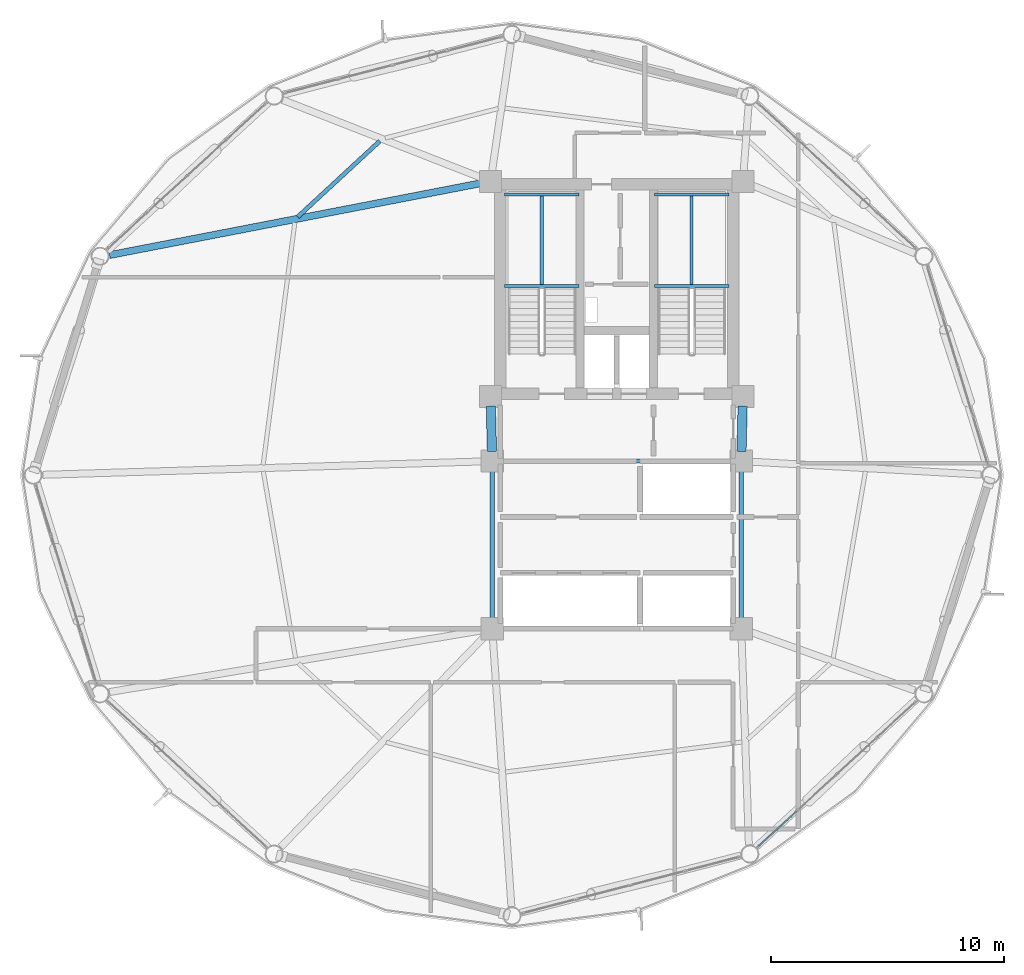
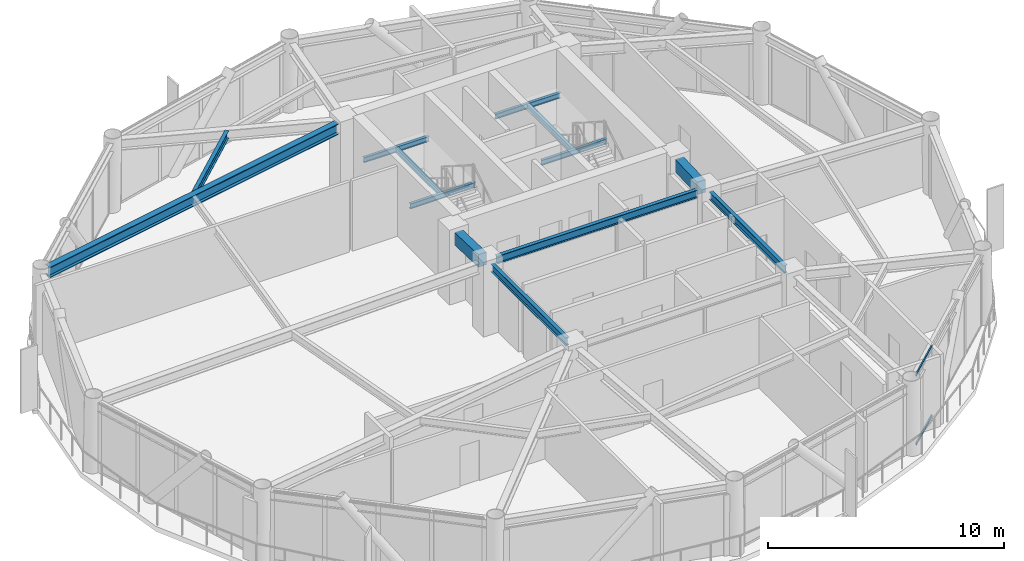
# One storey, part 12 of 24: 13 beams, 2 members, 1 element without a shape of its own.
"""IFC4 building model written with IfcOpenShell, lengths in metres."""

import ifcopenshell
import ifcopenshell.guid

model = None  # the IFC model being written
_history = None  # IfcOwnerHistory: only IFC2X3 demands one
_inside = {}  # id of a spatial element -> (the spatial element, [elements in it])
_under = {}  # id of a project, library or spatial element -> (it, [spatial elements below it])
_declared = {}  # id of a project -> (the project, [libraries it declares])
_typed = {}  # id of a type object -> (the type object, [elements of that type])
_made_of = {}  # id of a material, layer set ... -> (it, [elements and type objects made of it])


def new_model(schema):
    """Start an empty IFC model of exactly this schema.

    Asked for "IFC4X3", IfcOpenShell would pick the latest addendum, in which some entities
    have other attributes; the version numbers below select the first issue.
    IFC2X3 requires an IfcOwnerHistory on every rooted entity: one is made here for all.
    """
    global model, _history
    if schema == "IFC4X3":
        model = ifcopenshell.file(schema_version=(4, 3, 0, 0))
    else:
        model = ifcopenshell.file(schema=schema)
    _inside.clear()
    _under.clear()
    _declared.clear()
    _typed.clear()
    _made_of.clear()
    _history = None
    if model.schema == "IFC2X3":
        org = make("IfcOrganization", Name="unknown")
        user = make(
            "IfcPersonAndOrganization",
            ThePerson=make("IfcPerson", FamilyName="unknown"),
            TheOrganization=org,
        )
        app = make(
            "IfcApplication",
            ApplicationDeveloper=org,
            Version="unknown",
            ApplicationFullName="unknown",
            ApplicationIdentifier="unknown",
        )
        _history = make(
            "IfcOwnerHistory",
            OwningUser=user,
            OwningApplication=app,
            ChangeAction="ADDED",
            CreationDate=0,
        )
    return model


def make(cls, **values):
    """One entity of the class cls with the attributes given. An attribute that is None is left unset."""
    return model.create_entity(
        cls, **{name: value for name, value in values.items() if value is not None}
    )


def rooted(cls, **values):
    """An entity with a GlobalId (a new one), such as an element, a storey or a relation."""
    return make(cls, GlobalId=ifcopenshell.guid.new(), OwnerHistory=_history, **values)


def si_unit(unit_type, name, prefix=None):
    """IfcSIUnit, for example si_unit("LENGTHUNIT", "METRE", prefix="MILLI")."""
    return make("IfcSIUnit", UnitType=unit_type, Prefix=prefix, Name=name)


def assignment(units):
    """IfcUnitAssignment: the units of a project."""
    return None if units is None else make("IfcUnitAssignment", Units=units)


def point(xyz):
    """IfcCartesianPoint."""
    return None if xyz is None else make("IfcCartesianPoint", Coordinates=xyz)


def direction(xyz):
    """IfcDirection."""
    return None if xyz is None else make("IfcDirection", DirectionRatios=xyz)


def frame(location, z_axis=None, x_axis=None):
    """IfcAxis2Placement3D, a coordinate frame: its origin and axes. An axis left out is left unset."""
    return make(
        "IfcAxis2Placement3D",
        Location=point(location),
        Axis=direction(z_axis),
        RefDirection=direction(x_axis),
    )


def frame_2d(location, x_axis=None):
    """IfcAxis2Placement2D, a coordinate frame in the plane: its origin and x axis."""
    return make(
        "IfcAxis2Placement2D", Location=point(location), RefDirection=direction(x_axis)
    )


def origin():
    """The frame at (0, 0, 0) with its axes left unset."""
    return frame((0.0, 0.0, 0.0))


def origin_2d():
    """The frame at (0, 0) in the plane with its x axis left unset."""
    return frame_2d((0.0, 0.0))


def place(relative_to, where):
    """IfcLocalPlacement: puts the frame where relative to a parent placement (None: the world)."""
    return make(
        "IfcLocalPlacement", PlacementRelTo=relative_to, RelativePlacement=where
    )


def context(
    kind, dimensions, precision=None, world=None, true_north=None, identifier=None
):
    """IfcGeometricRepresentationContext, for example the 3D "Model" context."""
    return make(
        "IfcGeometricRepresentationContext",
        ContextIdentifier=identifier,
        ContextType=kind,
        CoordinateSpaceDimension=dimensions,
        Precision=precision,
        WorldCoordinateSystem=world,
        TrueNorth=true_north,
    )


def subcontext(parent, identifier, kind, view, scale=None):
    """IfcGeometricRepresentationSubContext, for example "Body" below "Model"."""
    return make(
        "IfcGeometricRepresentationSubContext",
        ContextIdentifier=identifier,
        ContextType=kind,
        ParentContext=parent,
        TargetScale=scale,
        TargetView=view,
    )


def project(units=None, contexts=None):
    """IfcProject with its units and contexts."""
    return rooted(
        "IfcProject",
        Name="project",
        RepresentationContexts=contexts,
        UnitsInContext=assignment(units),
    )


def spatial(cls, under=None, at=None, **own):
    """A site, building, storey or space (cls), placed at a placement, below another one or the project."""
    s = rooted(cls, ObjectPlacement=at, **own)
    if under is not None:
        _under.setdefault(under.id(), (under, []))[1].append(s)
    return s


def profile(cls, at=None, kind="AREA", **sizes):
    """A parametric profile (cls). Its sizes go by their IFC names, for example OverallWidth=200.0."""
    return make(cls, ProfileType=kind, Position=at, **sizes)


def rectangle(**sizes):
    """IfcRectangleProfileDef."""
    return profile("IfcRectangleProfileDef", **sizes)


def hollow_rectangle(**sizes):
    """IfcRectangleHollowProfileDef."""
    return profile("IfcRectangleHollowProfileDef", **sizes)


def i_section(**sizes):
    """IfcIShapeProfileDef."""
    return profile("IfcIShapeProfileDef", **sizes)


def extrude(swept, where, along, depth):
    """IfcExtrudedAreaSolid: the profile swept, set in the frame where, extruded along a direction by depth."""
    return make(
        "IfcExtrudedAreaSolid",
        SweptArea=swept,
        Position=where,
        ExtrudedDirection=direction(along),
        Depth=depth,
    )


def shape(context_of_items, identifier, shape_type, items):
    """IfcShapeRepresentation: the items that make up one representation, for example the "Body"."""
    return make(
        "IfcShapeRepresentation",
        ContextOfItems=context_of_items,
        RepresentationIdentifier=identifier,
        RepresentationType=shape_type,
        Items=items,
    )


def material(Name=None, Category=None):
    """IfcMaterial."""
    return make("IfcMaterial", Name=Name, Category=Category)


def layer(
    of_material, thickness, ventilated=None, Name=None, Category=None, Priority=None
):
    """IfcMaterialLayer: one layer of a wall or slab, of a material (None: an air gap)."""
    return make(
        "IfcMaterialLayer",
        Material=of_material,
        LayerThickness=thickness,
        IsVentilated=ventilated,
        Name=Name,
        Category=Category,
        Priority=Priority,
    )


def layer_set(layers, Name=None):
    """IfcMaterialLayerSet."""
    return make("IfcMaterialLayerSet", MaterialLayers=layers, LayerSetName=Name)


def material_profile(
    of_material, cross_section, Name=None, Category=None, Priority=None
):
    """IfcMaterialProfile: a cross section and its material."""
    return make(
        "IfcMaterialProfile",
        Name=Name,
        Material=of_material,
        Profile=cross_section,
        Priority=Priority,
        Category=Category,
    )


def profile_set(profiles, Name=None, composite=None):
    """IfcMaterialProfileSet."""
    return make(
        "IfcMaterialProfileSet",
        Name=Name,
        MaterialProfiles=profiles,
        CompositeProfile=composite,
    )


def made_of(thing, what):
    """Note that an element or type object is made of a material, layer set ...; save() writes the relation."""
    if what is not None:
        _made_of.setdefault(what.id(), (what, []))[1].append(thing)
    return thing


def type_object(cls, material=None, **own):
    """A type object (cls), such as IfcWallType, which elements share."""
    return made_of(rooted(cls, **own), material)


def element(
    cls,
    number,
    at=None,
    inside=None,
    cuts=None,
    type_object=None,
    material=None,
    context=None,
    identifier="Body",
    shape_type=None,
    held_by="IfcProductDefinitionShape",
    body=None,
    shapes=None,
    **own,
):
    """One element of the class cls, such as IfcWall. Its Tag is "e" and its number.

    at: its placement. inside: the storey or other place that contains it. cuts: it is an
    opening in that element (IfcRelVoidsElement). A single representation is given by context,
    identifier, shape_type and body (its items); several are given by shapes. held_by: the class
    of the entity that holds the representations. save() writes the other relations.
    """
    e = rooted(cls, Tag="e%d" % number, ObjectPlacement=at, **own)
    if body is not None:
        shapes = [shape(context, identifier, shape_type, body)]
    if shapes is not None:
        e.Representation = make(held_by, Representations=shapes)
    if inside is not None:
        _inside.setdefault(inside.id(), (inside, []))[1].append(e)
    if cuts is not None:
        rooted(
            "IfcRelVoidsElement", RelatingBuildingElement=cuts, RelatedOpeningElement=e
        )
    if type_object is not None:
        _typed.setdefault(type_object.id(), (type_object, []))[1].append(e)
    return made_of(e, material)


def aggregate(whole, parts):
    """IfcRelAggregates: a whole, such as a stair, and the parts it consists of."""
    return rooted("IfcRelAggregates", RelatingObject=whole, RelatedObjects=parts)


def save(model, path):
    """Write the relations noted so far, then the file.

    IfcRelAggregates (storeys below a building ...), IfcRelContainedInSpatialStructure (elements
    in a storey), IfcRelDefinesByType, IfcRelAssociatesMaterial and IfcRelDeclares: one each for
    every whole, place, type object, material and project.
    """
    for whole, parts in _under.values():
        aggregate(whole, parts)
    for where, things in _inside.values():
        rooted(
            "IfcRelContainedInSpatialStructure",
            RelatedElements=things,
            RelatingStructure=where,
        )
    for kind, things in _typed.values():
        rooted("IfcRelDefinesByType", RelatedObjects=things, RelatingType=kind)
    for what, things in _made_of.values():
        rooted("IfcRelAssociatesMaterial", RelatedObjects=things, RelatingMaterial=what)
    for by, libraries in _declared.values():
        rooted("IfcRelDeclares", RelatingContext=by, RelatedDefinitions=libraries)
    model.write(path)


model = new_model("IFC4")

# Units and contexts
model_context = context("Model", 3, precision=1e-05, world=origin(), true_north=direction((0.0, 1.0)))
body_context = subcontext(model_context, "Body", "Model", "MODEL_VIEW")
ifc_project = project(units=[si_unit("LENGTHUNIT", "METRE"), si_unit("AREAUNIT", "SQUARE_METRE"), si_unit("VOLUMEUNIT", "CUBIC_METRE"), si_unit("PLANEANGLEUNIT", "RADIAN"), si_unit("MASSUNIT", "GRAM", prefix="KILO")], contexts=[model_context])

# Site, building, storey
site_placement = place(None, origin())
site = spatial("IfcSite", under=ifc_project, at=site_placement, CompositionType="ELEMENT")
building_placement = place(site_placement, origin())
building = spatial("IfcBuilding", under=site, at=building_placement, Name="Varnakorn Sky Granary", CompositionType="ELEMENT")
storey_placement = place(building_placement, frame((0.0, 0.0, 161.699951171875)))
storey = spatial("IfcBuildingStorey", under=building, at=storey_placement, Name="L40", CompositionType="ELEMENT", Elevation=161.699951171875)

# Beams
ifc_material_1 = material(Name="Concrete C50/60", Category="concrete")
ifc_material_profile_1 = material_profile(ifc_material_1, rectangle(XDim=0.39990234375, YDim=0.64990234375, at=origin_2d()), Name="RC 400x650")
ifc_profile_set_1 = profile_set([ifc_material_profile_1], Name="Concrete C50/60")
beam_type_1 = type_object("IfcBeamType", Name="BM-LIN-650", PredefinedType="LINTEL", material=ifc_profile_set_1)
for number, where, z_axis, x_axis, name in (
    (1, (-2.409423828125, 2.960205078125, 3.31494140625), (0.025158763514, -0.999683468213, 0.0), (0.999683468213, 0.025158763514, 0.0), "Core Spine Framing Beam 1 L40"),
    (2, (8.409423828125, 2.960205078125, 3.31494140625), (-0.025158763514, -0.999683468213, 0.0), (0.999683468213, -0.025158763514, 0.0), "Core Spine Framing Beam 2 L40"),
):
    element("IfcBeam", number, at=place(storey_placement, frame(where, z_axis=z_axis, x_axis=x_axis)), inside=storey, type_object=beam_type_1, Name=name, PredefinedType="LINTEL", context=body_context, shape_type="SweptSolid", body=[
        extrude(rectangle(XDim=0.39990234375, YDim=0.64990234375, at=origin_2d()), origin(), (0.0, 0.0, 1.0), 1.94091796875),
    ])
ifc_material_2 = material(Name="Steel S355JR", Category="steel")
ifc_material_profile_2 = material_profile(ifc_material_2, i_section(OverallWidth=0.135009765625, OverallDepth=0.27001953125, WebThickness=0.006591796875, FlangeThickness=0.01025390625, at=origin_2d()), Name="IPE 270")
ifc_profile_set_2 = profile_set([ifc_material_profile_2], Name="Steel S355JR")
beam_type_2 = type_object("IfcBeamType", Name="BM-LND-270", PredefinedType="BEAM", material=ifc_profile_set_2)
for number, where, z_axis, x_axis, name in (
    (3, (-1.820068359375, 8.1201171875, 1.614990234375), (1.0, 0.0, 0.0), (0.0, 1.0, 0.0), "Stair ST-1 Landing Trimmer Beam A L40-1"),
    (4, (-1.820068359375, 12.06005859375, 1.614990234375), (1.0, 0.0, 0.0), (0.0, 1.0, 0.0), "Stair ST-1 Landing Trimmer Beam B L40-1"),
):
    element("IfcBeam", number, at=place(storey_placement, frame(where, z_axis=z_axis, x_axis=x_axis)), inside=storey, type_object=beam_type_2, Name=name, PredefinedType="BEAM", context=body_context, shape_type="SweptSolid", body=[
        extrude(i_section(OverallWidth=0.135009765625, OverallDepth=0.27001953125, WebThickness=0.006591796875, FlangeThickness=0.01025390625, at=origin_2d()), origin(), (0.0, 0.0, 1.0), 3.199951171875),
    ])
beam_1_placement = place(storey_placement, frame((-0.219970703125, 8.1201171875, 1.614990234375), z_axis=(0.0, 1.0, 0.0), x_axis=(-1.0, 0.0, 0.0)))
element("IfcBeam", 5, at=beam_1_placement, inside=storey, type_object=beam_type_2, Name="Stair ST-1 Landing Cross Beam C L40-1", PredefinedType="BEAM", context=body_context, shape_type="SweptSolid", body=[
    extrude(i_section(OverallWidth=0.135009765625, OverallDepth=0.27001953125, WebThickness=0.006591796875, FlangeThickness=0.01025390625, at=origin_2d()), origin(), (0.0, 0.0, 1.0), 3.93994140625),
])
for number, where, z_axis, x_axis, name in (
    (6, (4.6201171875, 8.1201171875, 1.614990234375), (1.0, 0.0, 0.0), (0.0, 1.0, 0.0), "Stair ST-2 Landing Trimmer Beam A L40-1"),
    (7, (4.6201171875, 12.06005859375, 1.614990234375), (1.0, 0.0, 0.0), (0.0, 1.0, 0.0), "Stair ST-2 Landing Trimmer Beam B L40-1"),
):
    element("IfcBeam", number, at=place(storey_placement, frame(where, z_axis=z_axis, x_axis=x_axis)), inside=storey, type_object=beam_type_2, Name=name, PredefinedType="BEAM", context=body_context, shape_type="SweptSolid", body=[
        extrude(i_section(OverallWidth=0.135009765625, OverallDepth=0.27001953125, WebThickness=0.006591796875, FlangeThickness=0.01025390625, at=origin_2d()), origin(), (0.0, 0.0, 1.0), 3.199951171875),
    ])
beam_2_placement = place(storey_placement, frame((6.219970703125, 8.1201171875, 1.614990234375), z_axis=(0.0, 1.0, 0.0), x_axis=(-1.0, 0.0, 0.0)))
element("IfcBeam", 8, at=beam_2_placement, inside=storey, type_object=beam_type_2, Name="Stair ST-2 Landing Cross Beam C L40-1", PredefinedType="BEAM", context=body_context, shape_type="SweptSolid", body=[
    extrude(i_section(OverallWidth=0.135009765625, OverallDepth=0.27001953125, WebThickness=0.006591796875, FlangeThickness=0.01025390625, at=origin_2d()), origin(), (0.0, 0.0, 1.0), 3.93994140625),
])
ifc_material_profile_3 = material_profile(ifc_material_2, i_section(OverallWidth=0.300048828125, OverallDepth=0.550048828125, WebThickness=0.014892578125, FlangeThickness=0.029052734375, at=origin_2d()), Name="HE 550 B")
ifc_profile_set_3 = profile_set([ifc_material_profile_3], Name="Steel S355JR")
beam_type_3 = type_object("IfcBeamType", Name="BM-RAD-Z3", PredefinedType="BEAM", material=ifc_profile_set_3)
beam_3_placement = place(storey_placement, frame((-2.832275390625, 12.540283203125, 3.364990234375), z_axis=(-0.981778314056, -0.190029845157, 0.0), x_axis=(0.190029845157, -0.981778314056, 0.0)))
element("IfcBeam", 9, at=beam_3_placement, inside=storey, type_object=beam_type_3, Name="Radial Floor Girder RG06 L40", PredefinedType="BEAM", context=body_context, shape_type="SweptSolid", body=[
    extrude(i_section(OverallWidth=0.300048828125, OverallDepth=0.550048828125, WebThickness=0.014892578125, FlangeThickness=0.029052734375, at=origin_2d()), origin(), (0.0, 0.0, 1.0), 16.255859375),
])
ifc_material_profile_4 = material_profile(ifc_material_2, i_section(OverallWidth=0.179931640625, OverallDepth=0.39990234375, WebThickness=0.008544921875, FlangeThickness=0.013427734375, at=origin_2d()), Name="IPE 400")
ifc_profile_set_4 = profile_set([ifc_material_profile_4], Name="Steel S355JR")
beam_type_4 = type_object("IfcBeamType", Name="BM-SEC-Z3", PredefinedType="BEAM", material=ifc_profile_set_4)
beam_4_placement = place(storey_placement, frame((-7.18359375, 14.349365234375, 3.43994140625), z_axis=(-0.734376324063, -0.678742524567, 0.0), x_axis=(0.678742524567, -0.734376324063, 0.0)))
element("IfcBeam", 10, at=beam_4_placement, inside=storey, type_object=beam_type_4, Name="Secondary Floor Chord Beam MSB05 L40", PredefinedType="BEAM", context=body_context, shape_type="SweptSolid", body=[
    extrude(i_section(OverallWidth=0.179931640625, OverallDepth=0.39990234375, WebThickness=0.008544921875, FlangeThickness=0.013427734375, at=origin_2d()), origin(), (0.0, 0.0, 1.0), 4.80078125),
])
for number, where, z_axis, x_axis, name in (
    (11, (-2.35009765625, 0.179931640625, 3.43994140625), (0.0, -1.0, 0.0), (1.0, 0.0, 0.0), "Core Spine Framing Beam 3 L40"),
    (12, (8.35009765625, 0.179931640625, 3.43994140625), (0.0, -1.0, 0.0), (1.0, 0.0, 0.0), "Core Spine Framing Beam 4 L40"),
):
    element("IfcBeam", number, at=place(storey_placement, frame(where, z_axis=z_axis, x_axis=x_axis)), inside=storey, type_object=beam_type_4, Name=name, PredefinedType="BEAM", context=body_context, shape_type="SweptSolid", body=[
        extrude(i_section(OverallWidth=0.179931640625, OverallDepth=0.39990234375, WebThickness=0.008544921875, FlangeThickness=0.013427734375, at=origin_2d()), origin(), (0.0, 0.0, 1.0), 6.35986328125),
    ])
beam_5_placement = place(storey_placement, frame((-1.929931640625, 0.60009765625, 3.43994140625), z_axis=(1.0, 0.0, 0.0), x_axis=(0.0, 1.0, 0.0)))
element("IfcBeam", 13, at=beam_5_placement, inside=storey, type_object=beam_type_4, Name="Core Spine Framing Beam 5 L40", PredefinedType="BEAM", context=body_context, shape_type="SweptSolid", body=[
    extrude(i_section(OverallWidth=0.179931640625, OverallDepth=0.39990234375, WebThickness=0.008544921875, FlangeThickness=0.013427734375, at=origin_2d()), origin(), (0.0, 0.0, 1.0), 9.85986328125),
])

# Curtain wall, members
ifc_material_3 = material(Name="Anodised Bronze Aluminium Alloy 6063-T6", Category="aluminium")
ifc_layer = layer(ifc_material_3, 0.179931640625, Name="Anodised Bronze Aluminium Alloy 6063-T6")
ifc_layer_set = layer_set([ifc_layer], Name="Anodised Bronze Aluminium Alloy 6063-T6")
curtain_wall_type = type_object("IfcCurtainWallType", Name="CW-FRM-2", PredefinedType="USERDEFINED", material=ifc_layer_set)
curtain_wall_placement = place(storey_placement, origin())
curtain_wall = element("IfcCurtainWall", 14, at=curtain_wall_placement, inside=storey, type_object=curtain_wall_type, Name="Unitised Curtain Wall CW4 CW-L40-B11", ObjectType="CURTAIN WALL", PredefinedType="USERDEFINED")
ifc_material_profile_5 = material_profile(ifc_material_3, hollow_rectangle(XDim=0.06494140625, YDim=0.1201171875, WallThickness=0.00341796875, at=origin_2d()), Name="ALU TRAN 65x120")
ifc_profile_set_5 = profile_set([ifc_material_profile_5], Name="Anodised Bronze Aluminium Alloy 6063-T6")
member_type = type_object("IfcMemberType", Name="CW-FRM-2-TRAN", PredefinedType="USERDEFINED", material=ifc_profile_set_5)
member_1_placement = place(storey_placement, frame((10.731689453125, -14.443115234375, 0.032470703125), z_axis=(-0.736005636807, -0.676975407669, 0.0), x_axis=(0.676975407669, -0.736005636807, 0.0)))
member_1 = element("IfcMember", 15, at=member_1_placement, type_object=member_type, Name="CW4 transom 4.1", ObjectType="TRANSOM", PredefinedType="USERDEFINED", context=body_context, shape_type="SweptSolid", body=[
    extrude(hollow_rectangle(XDim=0.06494140625, YDim=0.1201171875, WallThickness=0.00341796875, at=origin_2d()), origin(), (0.0, 0.0, 1.0), 2.216796875),
])
member_2_placement = place(storey_placement, frame((10.731689453125, -14.443115234375, 3.607666015625), z_axis=(-0.736005636807, -0.676975407669, 0.0), x_axis=(0.676975407669, -0.736005636807, 0.0)))
member_2 = element("IfcMember", 16, at=member_2_placement, type_object=member_type, Name="CW4 transom 4.2", ObjectType="TRANSOM", PredefinedType="USERDEFINED", context=body_context, shape_type="SweptSolid", body=[
    extrude(hollow_rectangle(XDim=0.06494140625, YDim=0.1201171875, WallThickness=0.00341796875, at=origin_2d()), origin(), (0.0, 0.0, 1.0), 2.216796875),
])
aggregate(curtain_wall, [member_1, member_2])

save(model, "model.ifc")
